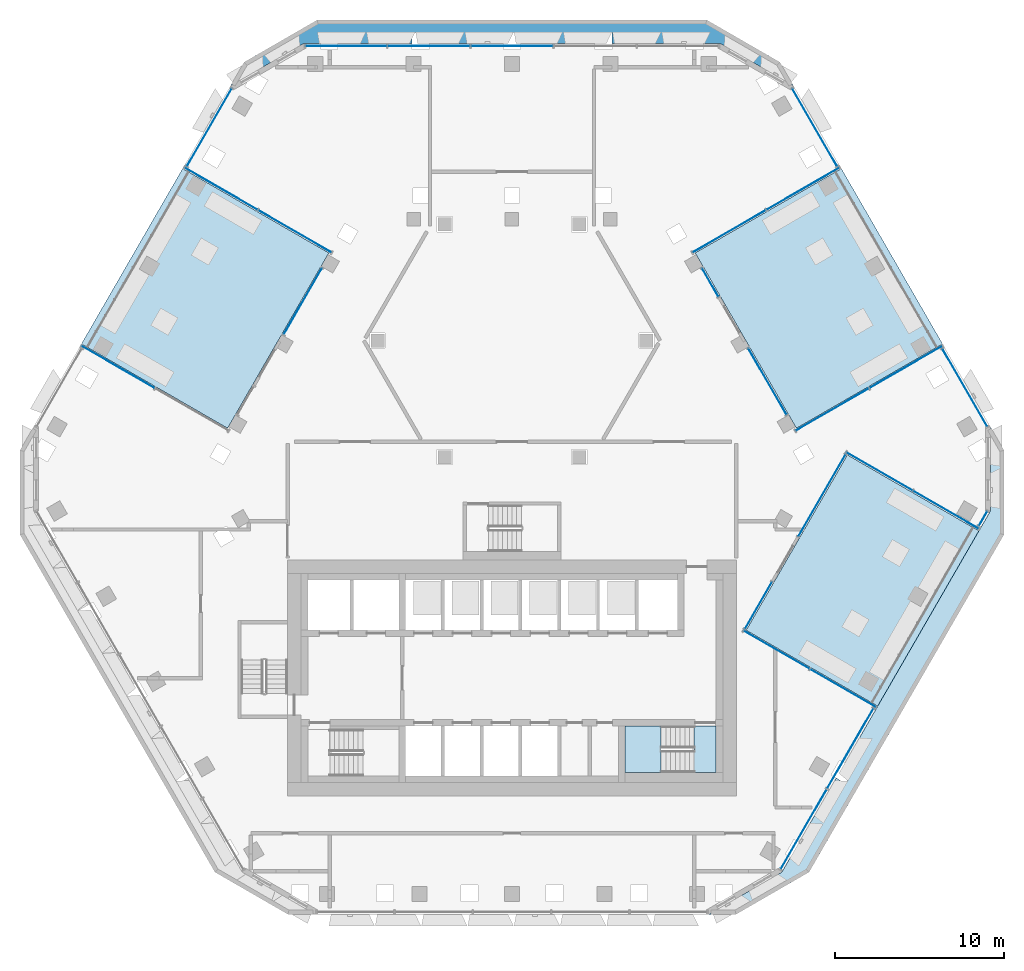
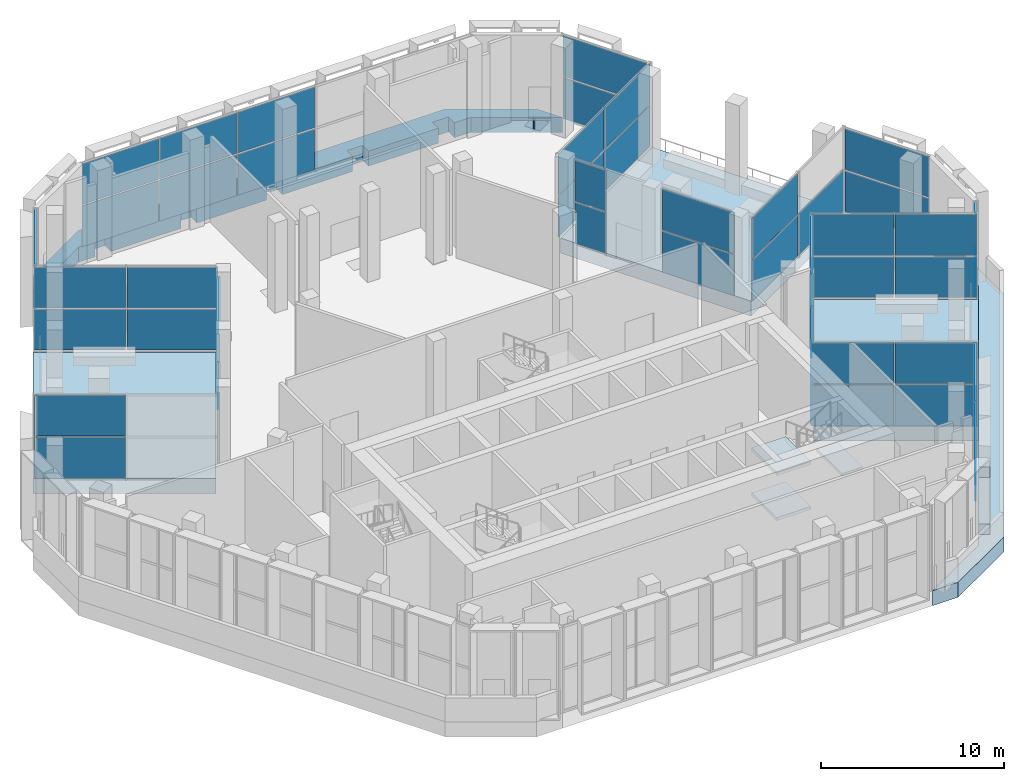
# One storey, part 8 of 27: 48 plates, 8 slabs, 18 elements without a shape of their own.
"""IFC4 building model written with IfcOpenShell, lengths in metres."""

import ifcopenshell
import ifcopenshell.guid

model = None  # the IFC model being written
_history = None  # IfcOwnerHistory: only IFC2X3 demands one
_inside = {}  # id of a spatial element -> (the spatial element, [elements in it])
_under = {}  # id of a project, library or spatial element -> (it, [spatial elements below it])
_declared = {}  # id of a project -> (the project, [libraries it declares])
_typed = {}  # id of a type object -> (the type object, [elements of that type])
_made_of = {}  # id of a material, layer set ... -> (it, [elements and type objects made of it])


def new_model(schema):
    """Start an empty IFC model of exactly this schema.

    Asked for "IFC4X3", IfcOpenShell would pick the latest addendum, in which some entities
    have other attributes; the version numbers below select the first issue.
    IFC2X3 requires an IfcOwnerHistory on every rooted entity: one is made here for all.
    """
    global model, _history
    if schema == "IFC4X3":
        model = ifcopenshell.file(schema_version=(4, 3, 0, 0))
    else:
        model = ifcopenshell.file(schema=schema)
    _inside.clear()
    _under.clear()
    _declared.clear()
    _typed.clear()
    _made_of.clear()
    _history = None
    if model.schema == "IFC2X3":
        org = make("IfcOrganization", Name="unknown")
        user = make(
            "IfcPersonAndOrganization",
            ThePerson=make("IfcPerson", FamilyName="unknown"),
            TheOrganization=org,
        )
        app = make(
            "IfcApplication",
            ApplicationDeveloper=org,
            Version="unknown",
            ApplicationFullName="unknown",
            ApplicationIdentifier="unknown",
        )
        _history = make(
            "IfcOwnerHistory",
            OwningUser=user,
            OwningApplication=app,
            ChangeAction="ADDED",
            CreationDate=0,
        )
    return model


def make(cls, **values):
    """One entity of the class cls with the attributes given. An attribute that is None is left unset."""
    return model.create_entity(
        cls, **{name: value for name, value in values.items() if value is not None}
    )


def rooted(cls, **values):
    """An entity with a GlobalId (a new one), such as an element, a storey or a relation."""
    return make(cls, GlobalId=ifcopenshell.guid.new(), OwnerHistory=_history, **values)


def si_unit(unit_type, name, prefix=None):
    """IfcSIUnit, for example si_unit("LENGTHUNIT", "METRE", prefix="MILLI")."""
    return make("IfcSIUnit", UnitType=unit_type, Prefix=prefix, Name=name)


def assignment(units):
    """IfcUnitAssignment: the units of a project."""
    return None if units is None else make("IfcUnitAssignment", Units=units)


def point(xyz):
    """IfcCartesianPoint."""
    return None if xyz is None else make("IfcCartesianPoint", Coordinates=xyz)


def direction(xyz):
    """IfcDirection."""
    return None if xyz is None else make("IfcDirection", DirectionRatios=xyz)


def frame(location, z_axis=None, x_axis=None):
    """IfcAxis2Placement3D, a coordinate frame: its origin and axes. An axis left out is left unset."""
    return make(
        "IfcAxis2Placement3D",
        Location=point(location),
        Axis=direction(z_axis),
        RefDirection=direction(x_axis),
    )


def frame_2d(location, x_axis=None):
    """IfcAxis2Placement2D, a coordinate frame in the plane: its origin and x axis."""
    return make(
        "IfcAxis2Placement2D", Location=point(location), RefDirection=direction(x_axis)
    )


def origin():
    """The frame at (0, 0, 0) with its axes left unset."""
    return frame((0.0, 0.0, 0.0))


def origin_2d():
    """The frame at (0, 0) in the plane with its x axis left unset."""
    return frame_2d((0.0, 0.0))


def place(relative_to, where):
    """IfcLocalPlacement: puts the frame where relative to a parent placement (None: the world)."""
    return make(
        "IfcLocalPlacement", PlacementRelTo=relative_to, RelativePlacement=where
    )


def context(
    kind, dimensions, precision=None, world=None, true_north=None, identifier=None
):
    """IfcGeometricRepresentationContext, for example the 3D "Model" context."""
    return make(
        "IfcGeometricRepresentationContext",
        ContextIdentifier=identifier,
        ContextType=kind,
        CoordinateSpaceDimension=dimensions,
        Precision=precision,
        WorldCoordinateSystem=world,
        TrueNorth=true_north,
    )


def subcontext(parent, identifier, kind, view, scale=None):
    """IfcGeometricRepresentationSubContext, for example "Body" below "Model"."""
    return make(
        "IfcGeometricRepresentationSubContext",
        ContextIdentifier=identifier,
        ContextType=kind,
        ParentContext=parent,
        TargetScale=scale,
        TargetView=view,
    )


def project(units=None, contexts=None):
    """IfcProject with its units and contexts."""
    return rooted(
        "IfcProject",
        Name="project",
        RepresentationContexts=contexts,
        UnitsInContext=assignment(units),
    )


def spatial(cls, under=None, at=None, **own):
    """A site, building, storey or space (cls), placed at a placement, below another one or the project."""
    s = rooted(cls, ObjectPlacement=at, **own)
    if under is not None:
        _under.setdefault(under.id(), (under, []))[1].append(s)
    return s


def polyline(points):
    """IfcPolyline through the points."""
    return make("IfcPolyline", Points=[point(p) for p in points])


def profile(cls, at=None, kind="AREA", **sizes):
    """A parametric profile (cls). Its sizes go by their IFC names, for example OverallWidth=200.0."""
    return make(cls, ProfileType=kind, Position=at, **sizes)


def rectangle(**sizes):
    """IfcRectangleProfileDef."""
    return profile("IfcRectangleProfileDef", **sizes)


def outline(outer, holes=None, kind="AREA"):
    """IfcArbitraryClosedProfileDef: a profile drawn as a closed curve; with holes, ...WithVoids."""
    if holes is None:
        return make("IfcArbitraryClosedProfileDef", ProfileType=kind, OuterCurve=outer)
    return make(
        "IfcArbitraryProfileDefWithVoids",
        ProfileType=kind,
        OuterCurve=outer,
        InnerCurves=holes,
    )


def extrude(swept, where, along, depth):
    """IfcExtrudedAreaSolid: the profile swept, set in the frame where, extruded along a direction by depth."""
    return make(
        "IfcExtrudedAreaSolid",
        SweptArea=swept,
        Position=where,
        ExtrudedDirection=direction(along),
        Depth=depth,
    )


def shape(context_of_items, identifier, shape_type, items):
    """IfcShapeRepresentation: the items that make up one representation, for example the "Body"."""
    return make(
        "IfcShapeRepresentation",
        ContextOfItems=context_of_items,
        RepresentationIdentifier=identifier,
        RepresentationType=shape_type,
        Items=items,
    )


def material(Name=None, Category=None):
    """IfcMaterial."""
    return make("IfcMaterial", Name=Name, Category=Category)


def layer(
    of_material, thickness, ventilated=None, Name=None, Category=None, Priority=None
):
    """IfcMaterialLayer: one layer of a wall or slab, of a material (None: an air gap)."""
    return make(
        "IfcMaterialLayer",
        Material=of_material,
        LayerThickness=thickness,
        IsVentilated=ventilated,
        Name=Name,
        Category=Category,
        Priority=Priority,
    )


def layer_set(layers, Name=None):
    """IfcMaterialLayerSet."""
    return make("IfcMaterialLayerSet", MaterialLayers=layers, LayerSetName=Name)


def made_of(thing, what):
    """Note that an element or type object is made of a material, layer set ...; save() writes the relation."""
    if what is not None:
        _made_of.setdefault(what.id(), (what, []))[1].append(thing)
    return thing


def type_object(cls, material=None, **own):
    """A type object (cls), such as IfcWallType, which elements share."""
    return made_of(rooted(cls, **own), material)


def element(
    cls,
    number,
    at=None,
    inside=None,
    cuts=None,
    type_object=None,
    material=None,
    context=None,
    identifier="Body",
    shape_type=None,
    held_by="IfcProductDefinitionShape",
    body=None,
    shapes=None,
    **own,
):
    """One element of the class cls, such as IfcWall. Its Tag is "e" and its number.

    at: its placement. inside: the storey or other place that contains it. cuts: it is an
    opening in that element (IfcRelVoidsElement). A single representation is given by context,
    identifier, shape_type and body (its items); several are given by shapes. held_by: the class
    of the entity that holds the representations. save() writes the other relations.
    """
    e = rooted(cls, Tag="e%d" % number, ObjectPlacement=at, **own)
    if body is not None:
        shapes = [shape(context, identifier, shape_type, body)]
    if shapes is not None:
        e.Representation = make(held_by, Representations=shapes)
    if inside is not None:
        _inside.setdefault(inside.id(), (inside, []))[1].append(e)
    if cuts is not None:
        rooted(
            "IfcRelVoidsElement", RelatingBuildingElement=cuts, RelatedOpeningElement=e
        )
    if type_object is not None:
        _typed.setdefault(type_object.id(), (type_object, []))[1].append(e)
    return made_of(e, material)


def aggregate(whole, parts):
    """IfcRelAggregates: a whole, such as a stair, and the parts it consists of."""
    return rooted("IfcRelAggregates", RelatingObject=whole, RelatedObjects=parts)


def save(model, path):
    """Write the relations noted so far, then the file.

    IfcRelAggregates (storeys below a building ...), IfcRelContainedInSpatialStructure (elements
    in a storey), IfcRelDefinesByType, IfcRelAssociatesMaterial and IfcRelDeclares: one each for
    every whole, place, type object, material and project.
    """
    for whole, parts in _under.values():
        aggregate(whole, parts)
    for where, things in _inside.values():
        rooted(
            "IfcRelContainedInSpatialStructure",
            RelatedElements=things,
            RelatingStructure=where,
        )
    for kind, things in _typed.values():
        rooted("IfcRelDefinesByType", RelatedObjects=things, RelatingType=kind)
    for what, things in _made_of.values():
        rooted("IfcRelAssociatesMaterial", RelatedObjects=things, RelatingMaterial=what)
    for by, libraries in _declared.values():
        rooted("IfcRelDeclares", RelatingContext=by, RelatedDefinitions=libraries)
    model.write(path)


model = new_model("IFC4")

# Units and contexts
model_context = context("Model", 3, precision=1e-05, world=origin(), true_north=direction((0.0, 1.0)))
body_context = subcontext(model_context, "Body", "Model", "MODEL_VIEW")
ifc_project = project(units=[si_unit("LENGTHUNIT", "METRE"), si_unit("AREAUNIT", "SQUARE_METRE"), si_unit("VOLUMEUNIT", "CUBIC_METRE"), si_unit("PLANEANGLEUNIT", "RADIAN"), si_unit("MASSUNIT", "GRAM", prefix="KILO")], contexts=[model_context])

# Site, building, storey
site_placement = place(None, origin())
site = spatial("IfcSite", under=ifc_project, at=site_placement, CompositionType="ELEMENT")
building_placement = place(site_placement, origin())
building = spatial("IfcBuilding", under=site, at=building_placement, Name="Beryl Residences", CompositionType="ELEMENT")
storey_placement = place(building_placement, frame((0.0, 0.0, 111.60009765625)))
storey = spatial("IfcBuildingStorey", under=building, at=storey_placement, Name="L34", CompositionType="ELEMENT", Elevation=111.60009765625)

# Curtain wall, plates
ifc_material_1 = material(Name="Aluminium and clear glass", Category="aluminium")
curtain_wall_type = type_object("IfcCurtainWallType", Name="CW3 sky garden glazing glazed wall", PredefinedType="NOTDEFINED", material=ifc_material_1)
curtain_wall_1_placement = place(storey_placement, origin())
curtain_wall_1 = element("IfcCurtainWall", 1, at=curtain_wall_1_placement, inside=storey, type_object=curtain_wall_type, Name="CW3 L34 N", PredefinedType="NOTDEFINED")
ifc_material_2 = material(Name="Clear laminated glass", Category="glass")
ifc_layer_1 = layer(ifc_material_2, 0.028076171875)
ifc_layer_set_1 = layer_set([ifc_layer_1], Name="CW3-P glazing panel 28 mm")
plate_type = type_object("IfcPlateType", Name="CW3-P glazing panel 28 mm", PredefinedType="CURTAIN_PANEL", material=ifc_layer_set_1)
plate_1_placement = place(storey_placement, frame((0.0, 25.449951171875, 0.079833984375), z_axis=(0.0, 0.0, 1.0), x_axis=(-1.0, 0.0, 0.0)))
plate_1 = element("IfcPlate", 2, at=plate_1_placement, type_object=plate_type, Name="CW3 panel 3.1", PredefinedType="CURTAIN_PANEL", context=body_context, shape_type="SweptSolid", body=[
    extrude(rectangle(XDim=4.845947265625, YDim=0.028076171875, at=origin_2d()), origin(), (0.0, 0.0, 1.0), 2.72998046875),
])
plate_2_placement = place(storey_placement, frame((0.0, 25.449951171875, 2.889892578125), z_axis=(0.0, 0.0, 1.0), x_axis=(-1.0, 0.0, 0.0)))
plate_2 = element("IfcPlate", 3, at=plate_2_placement, type_object=plate_type, Name="CW3 panel 3.2", PredefinedType="CURTAIN_PANEL", context=body_context, shape_type="SweptSolid", body=[
    extrude(rectangle(XDim=4.845947265625, YDim=0.028076171875, at=origin_2d()), origin(), (0.0, 0.0, 1.0), 2.72998046875),
])
plate_3_placement = place(storey_placement, frame((-4.926025390625, 25.449951171875, 0.079833984375), z_axis=(0.0, 0.0, 1.0), x_axis=(-1.0, 0.0, 0.0)))
plate_3 = element("IfcPlate", 4, at=plate_3_placement, type_object=plate_type, Name="CW3 panel 4.1", PredefinedType="CURTAIN_PANEL", context=body_context, shape_type="SweptSolid", body=[
    extrude(rectangle(XDim=4.845947265625, YDim=0.028076171875, at=origin_2d()), origin(), (0.0, 0.0, 1.0), 2.72998046875),
])
plate_4_placement = place(storey_placement, frame((-4.926025390625, 25.449951171875, 2.889892578125), z_axis=(0.0, 0.0, 1.0), x_axis=(-1.0, 0.0, 0.0)))
plate_4 = element("IfcPlate", 5, at=plate_4_placement, type_object=plate_type, Name="CW3 panel 4.2", PredefinedType="CURTAIN_PANEL", context=body_context, shape_type="SweptSolid", body=[
    extrude(rectangle(XDim=4.845947265625, YDim=0.028076171875, at=origin_2d()), origin(), (0.0, 0.0, 1.0), 2.72998046875),
])
plate_5_placement = place(storey_placement, frame((-9.83203125, 25.449951171875, 0.079833984375), z_axis=(0.0, 0.0, 1.0), x_axis=(-1.0, 0.0, 0.0)))
plate_5 = element("IfcPlate", 6, at=plate_5_placement, type_object=plate_type, Name="CW3 panel 5.1", PredefinedType="CURTAIN_PANEL", context=body_context, shape_type="SweptSolid", body=[
    extrude(rectangle(XDim=4.805908203125, YDim=0.028076171875, at=origin_2d()), origin(), (0.0, 0.0, 1.0), 2.72998046875),
])
plate_6_placement = place(storey_placement, frame((-9.83203125, 25.449951171875, 2.889892578125), z_axis=(0.0, 0.0, 1.0), x_axis=(-1.0, 0.0, 0.0)))
plate_6 = element("IfcPlate", 7, at=plate_6_placement, type_object=plate_type, Name="CW3 panel 5.2", PredefinedType="CURTAIN_PANEL", context=body_context, shape_type="SweptSolid", body=[
    extrude(rectangle(XDim=4.805908203125, YDim=0.028076171875, at=origin_2d()), origin(), (0.0, 0.0, 1.0), 2.72998046875),
])
aggregate(curtain_wall_1, [plate_1, plate_2, plate_3, plate_4, plate_5, plate_6])

curtain_wall_2_placement = place(storey_placement, origin())
curtain_wall_2 = element("IfcCurtainWall", 8, at=curtain_wall_2_placement, inside=storey, type_object=curtain_wall_type, Name="CW3 L34 NW", PredefinedType="NOTDEFINED")
plate_7_placement = place(storey_placement, frame((-17.93798828125, 20.631591796875, 0.079833984375), z_axis=(0.0, 0.0, 1.0), x_axis=(-0.500087950699, -0.86597461947, 0.0)))
plate_7 = element("IfcPlate", 9, at=plate_7_placement, type_object=plate_type, Name="CW3 panel 1.1", PredefinedType="CURTAIN_PANEL", context=body_context, shape_type="SweptSolid", body=[
    extrude(rectangle(XDim=5.287109375, YDim=0.028076171875, at=origin_2d()), origin(), (0.0, 0.0, 1.0), 2.72998046875),
])
plate_8_placement = place(storey_placement, frame((-17.93798828125, 20.631591796875, 2.889892578125), z_axis=(0.0, 0.0, 1.0), x_axis=(-0.500087950699, -0.86597461947, 0.0)))
plate_8 = element("IfcPlate", 10, at=plate_8_placement, type_object=plate_type, Name="CW3 panel 1.2", PredefinedType="CURTAIN_PANEL", context=body_context, shape_type="SweptSolid", body=[
    extrude(rectangle(XDim=5.287109375, YDim=0.028076171875, at=origin_2d()), origin(), (0.0, 0.0, 1.0), 2.72998046875),
])
aggregate(curtain_wall_2, [plate_7, plate_8])

curtain_wall_3_placement = place(storey_placement, origin())
curtain_wall_3 = element("IfcCurtainWall", 11, at=curtain_wall_3_placement, inside=storey, type_object=curtain_wall_type, Name="CW3 L34 SE", PredefinedType="NOTDEFINED")
plate_9_placement = place(storey_placement, frame((17.285400390625, -20.9609375, 2.889892578125), z_axis=(0.0, 0.0, 1.0), x_axis=(0.500020329666, 0.866013666128, 0.0)))
plate_9 = element("IfcPlate", 12, at=plate_9_placement, type_object=plate_type, Name="CW3 panel 1.2", PredefinedType="CURTAIN_PANEL", context=body_context, shape_type="SweptSolid", body=[
    extrude(rectangle(XDim=5.44970703125, YDim=0.028076171875, at=origin_2d()), origin(), (0.0, 0.0, 1.0), 2.72998046875),
])
plate_10_placement = place(storey_placement, frame((20.050537109375, -16.172119140625, 0.079833984375), z_axis=(0.0, 0.0, 1.0), x_axis=(0.500020329666, 0.866013666128, 0.0)))
plate_10 = element("IfcPlate", 13, at=plate_10_placement, type_object=plate_type, Name="CW3 panel 2.1", PredefinedType="CURTAIN_PANEL", context=body_context, shape_type="SweptSolid", body=[
    extrude(rectangle(XDim=5.44970703125, YDim=0.028076171875, at=origin_2d()), origin(), (0.0, 0.0, 1.0), 2.72998046875),
])
plate_11_placement = place(storey_placement, frame((20.050537109375, -16.172119140625, 2.889892578125), z_axis=(0.0, 0.0, 1.0), x_axis=(0.500020329666, 0.866013666128, 0.0)))
plate_11 = element("IfcPlate", 14, at=plate_11_placement, type_object=plate_type, Name="CW3 panel 2.2", PredefinedType="CURTAIN_PANEL", context=body_context, shape_type="SweptSolid", body=[
    extrude(rectangle(XDim=5.44970703125, YDim=0.028076171875, at=origin_2d()), origin(), (0.0, 0.0, 1.0), 2.72998046875),
])
aggregate(curtain_wall_3, [plate_9, plate_10, plate_11])

curtain_wall_4_placement = place(storey_placement, origin())
curtain_wall_4 = element("IfcCurtainWall", 15, at=curtain_wall_4_placement, inside=storey, type_object=curtain_wall_type, Name="CW3 L34 SE", PredefinedType="NOTDEFINED")
plate_12_placement = place(storey_placement, frame((27.9130859375, -2.553466796875, 0.079833984375), z_axis=(0.0, 0.0, 1.0), x_axis=(0.500102178131, 0.865966403176, 0.0)))
plate_12 = element("IfcPlate", 16, at=plate_12_placement, type_object=plate_type, Name="CW3 panel 1.1", PredefinedType="CURTAIN_PANEL", context=body_context, shape_type="SweptSolid", body=[
    extrude(rectangle(XDim=0.979736328125, YDim=0.028076171875, at=origin_2d()), origin(), (0.0, 0.0, 1.0), 2.72998046875),
])
plate_13_placement = place(storey_placement, frame((27.9130859375, -2.553466796875, 2.889892578125), z_axis=(0.0, 0.0, 1.0), x_axis=(0.500102178131, 0.865966403176, 0.0)))
plate_13 = element("IfcPlate", 17, at=plate_13_placement, type_object=plate_type, Name="CW3 panel 1.2", PredefinedType="CURTAIN_PANEL", context=body_context, shape_type="SweptSolid", body=[
    extrude(rectangle(XDim=0.979736328125, YDim=0.028076171875, at=origin_2d()), origin(), (0.0, 0.0, 1.0), 2.72998046875),
])
aggregate(curtain_wall_4, [plate_12, plate_13])

curtain_wall_5_placement = place(storey_placement, origin())
curtain_wall_5 = element("IfcCurtainWall", 18, at=curtain_wall_5_placement, inside=storey, type_object=curtain_wall_type, Name="CW3 L34 NE", PredefinedType="NOTDEFINED")
plate_14_placement = place(storey_placement, frame((26.83642578125, 5.218505859375, 0.079833984375), z_axis=(0.0, 0.0, 1.0), x_axis=(-0.499950258479, 0.866054120161, 0.0)))
plate_14 = element("IfcPlate", 19, at=plate_14_placement, type_object=plate_type, Name="CW3 panel 1.1", PredefinedType="CURTAIN_PANEL", context=body_context, shape_type="SweptSolid", body=[
    extrude(rectangle(XDim=5.28662109375, YDim=0.028076171875, at=origin_2d()), origin(), (0.0, 0.0, 1.0), 2.72998046875),
])
plate_15_placement = place(storey_placement, frame((26.83642578125, 5.218505859375, 2.889892578125), z_axis=(0.0, 0.0, 1.0), x_axis=(-0.499950258479, 0.866054120161, 0.0)))
plate_15 = element("IfcPlate", 20, at=plate_15_placement, type_object=plate_type, Name="CW3 panel 1.2", PredefinedType="CURTAIN_PANEL", context=body_context, shape_type="SweptSolid", body=[
    extrude(rectangle(XDim=5.28662109375, YDim=0.028076171875, at=origin_2d()), origin(), (0.0, 0.0, 1.0), 2.72998046875),
])
aggregate(curtain_wall_5, [plate_14, plate_15])

curtain_wall_6_placement = place(storey_placement, origin())
curtain_wall_6 = element("IfcCurtainWall", 21, at=curtain_wall_6_placement, inside=storey, type_object=curtain_wall_type, Name="CW3 L34 NE", PredefinedType="NOTDEFINED")
plate_16_placement = place(storey_placement, frame((17.93798828125, 20.631591796875, 0.079833984375), z_axis=(0.0, 0.0, 1.0), x_axis=(-0.500087950699, 0.86597461947, 0.0)))
plate_16 = element("IfcPlate", 22, at=plate_16_placement, type_object=plate_type, Name="CW3 panel 1.1", PredefinedType="CURTAIN_PANEL", context=body_context, shape_type="SweptSolid", body=[
    extrude(rectangle(XDim=5.287109375, YDim=0.028076171875, at=origin_2d()), origin(), (0.0, 0.0, 1.0), 2.72998046875),
])
plate_17_placement = place(storey_placement, frame((17.93798828125, 20.631591796875, 2.889892578125), z_axis=(0.0, 0.0, 1.0), x_axis=(-0.500087950699, 0.86597461947, 0.0)))
plate_17 = element("IfcPlate", 23, at=plate_17_placement, type_object=plate_type, Name="CW3 panel 1.2", PredefinedType="CURTAIN_PANEL", context=body_context, shape_type="SweptSolid", body=[
    extrude(rectangle(XDim=5.287109375, YDim=0.028076171875, at=origin_2d()), origin(), (0.0, 0.0, 1.0), 2.72998046875),
])
aggregate(curtain_wall_6, [plate_16, plate_17])

curtain_wall_7_placement = place(storey_placement, origin())
curtain_wall_7 = element("IfcCurtainWall", 24, at=curtain_wall_7_placement, inside=storey, type_object=curtain_wall_type, Name="CW3 L34 NW garden back", PredefinedType="NOTDEFINED")
plate_18_placement = place(storey_placement, frame((-12.39892578125, 10.324951171875, 0.079833984375), z_axis=(0.0, 0.0, 1.0), x_axis=(-0.49982123965, -0.866128586524, 0.0)))
plate_18 = element("IfcPlate", 25, at=plate_18_placement, type_object=plate_type, Name="CW3 panel 1.1", PredefinedType="CURTAIN_PANEL", context=body_context, shape_type="SweptSolid", body=[
    extrude(rectangle(XDim=4.513671875, YDim=0.028076171875, at=origin_2d()), origin(), (0.0, 0.0, 1.0), 2.72998046875),
])
plate_19_placement = place(storey_placement, frame((-12.39892578125, 10.324951171875, 2.889892578125), z_axis=(0.0, 0.0, 1.0), x_axis=(-0.49982123965, -0.866128586524, 0.0)))
plate_19 = element("IfcPlate", 26, at=plate_19_placement, type_object=plate_type, Name="CW3 panel 1.2", PredefinedType="CURTAIN_PANEL", context=body_context, shape_type="SweptSolid", body=[
    extrude(rectangle(XDim=4.513671875, YDim=0.028076171875, at=origin_2d()), origin(), (0.0, 0.0, 1.0), 2.72998046875),
])
aggregate(curtain_wall_7, [plate_18, plate_19])

curtain_wall_8_placement = place(storey_placement, origin())
curtain_wall_8 = element("IfcCurtainWall", 27, at=curtain_wall_8_placement, inside=storey, type_object=curtain_wall_type, Name="CW3 L34 NW garden left", PredefinedType="NOTDEFINED")
plate_20_placement = place(storey_placement, frame((-17.24658203125, 17.0009765625, 0.079833984375), z_axis=(0.0, 0.0, 1.0), x_axis=(0.866008831285, -0.500028703312, 0.0)))
plate_20 = element("IfcPlate", 28, at=plate_20_placement, type_object=plate_type, Name="CW3 panel 1.1", PredefinedType="CURTAIN_PANEL", context=body_context, shape_type="SweptSolid", body=[
    extrude(rectangle(XDim=4.9677734375, YDim=0.028076171875, at=origin_2d()), origin(), (0.0, 0.0, 1.0), 2.72998046875),
])
plate_21_placement = place(storey_placement, frame((-17.24658203125, 17.0009765625, 2.889892578125), z_axis=(0.0, 0.0, 1.0), x_axis=(0.866008831285, -0.500028703312, 0.0)))
plate_21 = element("IfcPlate", 29, at=plate_21_placement, type_object=plate_type, Name="CW3 panel 1.2", PredefinedType="CURTAIN_PANEL", context=body_context, shape_type="SweptSolid", body=[
    extrude(rectangle(XDim=4.9677734375, YDim=0.028076171875, at=origin_2d()), origin(), (0.0, 0.0, 1.0), 2.72998046875),
])
plate_22_placement = place(storey_placement, frame((-12.875244140625, 14.47705078125, 0.079833984375), z_axis=(0.0, 0.0, 1.0), x_axis=(0.866008831285, -0.500028703312, 0.0)))
plate_22 = element("IfcPlate", 30, at=plate_22_placement, type_object=plate_type, Name="CW3 panel 2.1", PredefinedType="CURTAIN_PANEL", context=body_context, shape_type="SweptSolid", body=[
    extrude(rectangle(XDim=4.9677734375, YDim=0.028076171875, at=origin_2d()), origin(), (0.0, 0.0, 1.0), 2.72998046875),
])
plate_23_placement = place(storey_placement, frame((-12.875244140625, 14.47705078125, 2.889892578125), z_axis=(0.0, 0.0, 1.0), x_axis=(0.866008831285, -0.500028703312, 0.0)))
plate_23 = element("IfcPlate", 31, at=plate_23_placement, type_object=plate_type, Name="CW3 panel 2.2", PredefinedType="CURTAIN_PANEL", context=body_context, shape_type="SweptSolid", body=[
    extrude(rectangle(XDim=4.9677734375, YDim=0.028076171875, at=origin_2d()), origin(), (0.0, 0.0, 1.0), 2.72998046875),
])
aggregate(curtain_wall_8, [plate_20, plate_21, plate_22, plate_23])

curtain_wall_9_placement = place(storey_placement, origin())
curtain_wall_9 = element("IfcCurtainWall", 32, at=curtain_wall_9_placement, inside=storey, type_object=curtain_wall_type, Name="CW3 L34 NW garden right", PredefinedType="NOTDEFINED")
plate_24_placement = place(storey_placement, frame((-23.3466796875, 6.435302734375, 0.079833984375), z_axis=(0.0, 0.0, 1.0), x_axis=(0.866051386658, -0.499954993642, 0.0)))
plate_24 = element("IfcPlate", 33, at=plate_24_placement, type_object=plate_type, Name="CW3 panel 1.1", PredefinedType="CURTAIN_PANEL", context=body_context, shape_type="SweptSolid", body=[
    extrude(rectangle(XDim=4.967529296875, YDim=0.028076171875, at=origin_2d()), origin(), (0.0, 0.0, 1.0), 2.72998046875),
])
plate_25_placement = place(storey_placement, frame((-23.3466796875, 6.435302734375, 2.889892578125), z_axis=(0.0, 0.0, 1.0), x_axis=(0.866051386658, -0.499954993642, 0.0)))
plate_25 = element("IfcPlate", 34, at=plate_25_placement, type_object=plate_type, Name="CW3 panel 1.2", PredefinedType="CURTAIN_PANEL", context=body_context, shape_type="SweptSolid", body=[
    extrude(rectangle(XDim=4.967529296875, YDim=0.028076171875, at=origin_2d()), origin(), (0.0, 0.0, 1.0), 2.72998046875),
])
aggregate(curtain_wall_9, [plate_24, plate_25])

curtain_wall_10_placement = place(storey_placement, origin())
curtain_wall_10 = element("IfcCurtainWall", 35, at=curtain_wall_10_placement, inside=storey, type_object=curtain_wall_type, Name="CW3 L34 NE garden back", PredefinedType="NOTDEFINED")
plate_26_placement = place(storey_placement, frame((15.14111328125, 5.574951171875, 0.079833984375), z_axis=(0.0, 0.0, 1.0), x_axis=(-0.500142160005, 0.865943312108, 0.0)))
plate_26 = element("IfcPlate", 36, at=plate_26_placement, type_object=plate_type, Name="CW3 panel 1.1", PredefinedType="CURTAIN_PANEL", context=body_context, shape_type="SweptSolid", body=[
    extrude(rectangle(XDim=4.5146484375, YDim=0.028076171875, at=origin_2d()), origin(), (0.0, 0.0, 1.0), 2.72998046875),
])
plate_27_placement = place(storey_placement, frame((15.14111328125, 5.574951171875, 2.889892578125), z_axis=(0.0, 0.0, 1.0), x_axis=(-0.500142160005, 0.865943312108, 0.0)))
plate_27 = element("IfcPlate", 37, at=plate_27_placement, type_object=plate_type, Name="CW3 panel 1.2", PredefinedType="CURTAIN_PANEL", context=body_context, shape_type="SweptSolid", body=[
    extrude(rectangle(XDim=4.5146484375, YDim=0.028076171875, at=origin_2d()), origin(), (0.0, 0.0, 1.0), 2.72998046875),
])
aggregate(curtain_wall_10, [plate_26, plate_27])

curtain_wall_11_placement = place(storey_placement, origin())
curtain_wall_11 = element("IfcCurtainWall", 38, at=curtain_wall_11_placement, inside=storey, type_object=curtain_wall_type, Name="CW3 L34 NE garden back", PredefinedType="NOTDEFINED")
plate_28_placement = place(storey_placement, frame((11.75, 11.448486328125, 0.079833984375), z_axis=(0.0, 0.0, 1.0), x_axis=(-0.500069298337, 0.865985390674, 0.0)))
plate_28 = element("IfcPlate", 39, at=plate_28_placement, type_object=plate_type, Name="CW3 panel 1.1", PredefinedType="CURTAIN_PANEL", context=body_context, shape_type="SweptSolid", body=[
    extrude(rectangle(XDim=1.919677734375, YDim=0.028076171875, at=origin_2d()), origin(), (0.0, 0.0, 1.0), 2.72998046875),
])
plate_29_placement = place(storey_placement, frame((11.75, 11.448486328125, 2.889892578125), z_axis=(0.0, 0.0, 1.0), x_axis=(-0.500069298337, 0.865985390674, 0.0)))
plate_29 = element("IfcPlate", 40, at=plate_29_placement, type_object=plate_type, Name="CW3 panel 1.2", PredefinedType="CURTAIN_PANEL", context=body_context, shape_type="SweptSolid", body=[
    extrude(rectangle(XDim=1.919677734375, YDim=0.028076171875, at=origin_2d()), origin(), (0.0, 0.0, 1.0), 2.72998046875),
])
aggregate(curtain_wall_11, [plate_28, plate_29])

curtain_wall_12_placement = place(storey_placement, origin())
curtain_wall_12 = element("IfcCurtainWall", 41, at=curtain_wall_12_placement, inside=storey, type_object=curtain_wall_type, Name="CW3 L34 NE garden left", PredefinedType="NOTDEFINED")
plate_30_placement = place(storey_placement, frame((23.3466796875, 6.435302734375, 0.079833984375), z_axis=(0.0, 0.0, 1.0), x_axis=(-0.866051386658, -0.499954993642, 0.0)))
plate_30 = element("IfcPlate", 42, at=plate_30_placement, type_object=plate_type, Name="CW3 panel 1.1", PredefinedType="CURTAIN_PANEL", context=body_context, shape_type="SweptSolid", body=[
    extrude(rectangle(XDim=4.967529296875, YDim=0.028076171875, at=origin_2d()), origin(), (0.0, 0.0, 1.0), 2.72998046875),
])
plate_31_placement = place(storey_placement, frame((18.975341796875, 3.911865234375, 0.079833984375), z_axis=(0.0, 0.0, 1.0), x_axis=(-0.866051386658, -0.499954993642, 0.0)))
plate_31 = element("IfcPlate", 43, at=plate_31_placement, type_object=plate_type, Name="CW3 panel 2.1", PredefinedType="CURTAIN_PANEL", context=body_context, shape_type="SweptSolid", body=[
    extrude(rectangle(XDim=4.967529296875, YDim=0.028076171875, at=origin_2d()), origin(), (0.0, 0.0, 1.0), 2.72998046875),
])
plate_32_placement = place(storey_placement, frame((18.975341796875, 3.911865234375, 2.889892578125), z_axis=(0.0, 0.0, 1.0), x_axis=(-0.866051386658, -0.499954993642, 0.0)))
plate_32 = element("IfcPlate", 44, at=plate_32_placement, type_object=plate_type, Name="CW3 panel 2.2", PredefinedType="CURTAIN_PANEL", context=body_context, shape_type="SweptSolid", body=[
    extrude(rectangle(XDim=4.967529296875, YDim=0.028076171875, at=origin_2d()), origin(), (0.0, 0.0, 1.0), 2.72998046875),
])
aggregate(curtain_wall_12, [plate_30, plate_31, plate_32])

curtain_wall_13_placement = place(storey_placement, origin())
curtain_wall_13 = element("IfcCurtainWall", 45, at=curtain_wall_13_placement, inside=storey, type_object=curtain_wall_type, Name="CW3 L34 NE garden right", PredefinedType="NOTDEFINED")
plate_33_placement = place(storey_placement, frame((17.24658203125, 17.0009765625, 0.079833984375), z_axis=(0.0, 0.0, 1.0), x_axis=(-0.866008831285, -0.500028703312, 0.0)))
plate_33 = element("IfcPlate", 46, at=plate_33_placement, type_object=plate_type, Name="CW3 panel 1.1", PredefinedType="CURTAIN_PANEL", context=body_context, shape_type="SweptSolid", body=[
    extrude(rectangle(XDim=4.9677734375, YDim=0.028076171875, at=origin_2d()), origin(), (0.0, 0.0, 1.0), 2.72998046875),
])
plate_34_placement = place(storey_placement, frame((17.24658203125, 17.0009765625, 2.889892578125), z_axis=(0.0, 0.0, 1.0), x_axis=(-0.866008831285, -0.500028703312, 0.0)))
plate_34 = element("IfcPlate", 47, at=plate_34_placement, type_object=plate_type, Name="CW3 panel 1.2", PredefinedType="CURTAIN_PANEL", context=body_context, shape_type="SweptSolid", body=[
    extrude(rectangle(XDim=4.9677734375, YDim=0.028076171875, at=origin_2d()), origin(), (0.0, 0.0, 1.0), 2.72998046875),
])
plate_35_placement = place(storey_placement, frame((12.875244140625, 14.47705078125, 0.079833984375), z_axis=(0.0, 0.0, 1.0), x_axis=(-0.866008831285, -0.500028703312, 0.0)))
plate_35 = element("IfcPlate", 48, at=plate_35_placement, type_object=plate_type, Name="CW3 panel 2.1", PredefinedType="CURTAIN_PANEL", context=body_context, shape_type="SweptSolid", body=[
    extrude(rectangle(XDim=4.9677734375, YDim=0.028076171875, at=origin_2d()), origin(), (0.0, 0.0, 1.0), 2.72998046875),
])
plate_36_placement = place(storey_placement, frame((12.875244140625, 14.47705078125, 2.889892578125), z_axis=(0.0, 0.0, 1.0), x_axis=(-0.866008831285, -0.500028703312, 0.0)))
plate_36 = element("IfcPlate", 49, at=plate_36_placement, type_object=plate_type, Name="CW3 panel 2.2", PredefinedType="CURTAIN_PANEL", context=body_context, shape_type="SweptSolid", body=[
    extrude(rectangle(XDim=4.9677734375, YDim=0.028076171875, at=origin_2d()), origin(), (0.0, 0.0, 1.0), 2.72998046875),
])
aggregate(curtain_wall_13, [plate_33, plate_34, plate_35, plate_36])

curtain_wall_14_placement = place(storey_placement, origin())
curtain_wall_14 = element("IfcCurtainWall", 50, at=curtain_wall_14_placement, inside=storey, type_object=curtain_wall_type, Name="CW3 L34 SE garden back", PredefinedType="NOTDEFINED")
plate_37_placement = place(storey_placement, frame((14.60791015625, -7.697998046875, 0.079833984375), z_axis=(0.0, 0.0, 1.0), x_axis=(0.499826590019, 0.866125498938, 0.0)))
plate_37 = element("IfcPlate", 51, at=plate_37_placement, type_object=plate_type, Name="CW3 panel 1.1", PredefinedType="CURTAIN_PANEL", context=body_context, shape_type="SweptSolid", body=[
    extrude(rectangle(XDim=3.1650390625, YDim=0.028076171875, at=origin_2d()), origin(), (0.0, 0.0, 1.0), 2.72998046875),
])
plate_38_placement = place(storey_placement, frame((14.60791015625, -7.697998046875, 2.889892578125), z_axis=(0.0, 0.0, 1.0), x_axis=(0.499826590019, 0.866125498938, 0.0)))
plate_38 = element("IfcPlate", 52, at=plate_38_placement, type_object=plate_type, Name="CW3 panel 1.2", PredefinedType="CURTAIN_PANEL", context=body_context, shape_type="SweptSolid", body=[
    extrude(rectangle(XDim=3.1650390625, YDim=0.028076171875, at=origin_2d()), origin(), (0.0, 0.0, 1.0), 2.72998046875),
])
aggregate(curtain_wall_14, [plate_37, plate_38])

curtain_wall_15_placement = place(storey_placement, origin())
curtain_wall_15 = element("IfcCurtainWall", 53, at=curtain_wall_15_placement, inside=storey, type_object=curtain_wall_type, Name="CW3 L34 SE garden back", PredefinedType="NOTDEFINED")
plate_39_placement = place(storey_placement, frame((18.37060546875, -1.180908203125, 0.079833984375), z_axis=(0.0, 0.0, 1.0), x_axis=(0.500065152722, 0.865987784575, 0.0)))
plate_39 = element("IfcPlate", 54, at=plate_39_placement, type_object=plate_type, Name="CW3 panel 1.1", PredefinedType="CURTAIN_PANEL", context=body_context, shape_type="SweptSolid", body=[
    extrude(rectangle(XDim=5.565185546875, YDim=0.028076171875, at=origin_2d()), origin(), (0.0, 0.0, 1.0), 2.72998046875),
])
plate_40_placement = place(storey_placement, frame((18.37060546875, -1.180908203125, 2.889892578125), z_axis=(0.0, 0.0, 1.0), x_axis=(0.500065152722, 0.865987784575, 0.0)))
plate_40 = element("IfcPlate", 55, at=plate_40_placement, type_object=plate_type, Name="CW3 panel 1.2", PredefinedType="CURTAIN_PANEL", context=body_context, shape_type="SweptSolid", body=[
    extrude(rectangle(XDim=5.565185546875, YDim=0.028076171875, at=origin_2d()), origin(), (0.0, 0.0, 1.0), 2.72998046875),
])
aggregate(curtain_wall_15, [plate_39, plate_40])

curtain_wall_16_placement = place(storey_placement, origin())
curtain_wall_16 = element("IfcCurtainWall", 56, at=curtain_wall_16_placement, inside=storey, type_object=curtain_wall_type, Name="CW3 L34 SE garden left", PredefinedType="NOTDEFINED")
plate_41_placement = place(storey_placement, frame((19.6162109375, -12.595947265625, 0.079833984375), z_axis=(0.0, 0.0, 1.0), x_axis=(-0.866007717298, 0.500030632642, 0.0)))
plate_41 = element("IfcPlate", 57, at=plate_41_placement, type_object=plate_type, Name="CW3 panel 1.1", PredefinedType="CURTAIN_PANEL", context=body_context, shape_type="SweptSolid", body=[
    extrude(rectangle(XDim=4.4677734375, YDim=0.028076171875, at=origin_2d()), origin(), (0.0, 0.0, 1.0), 2.72998046875),
])
plate_42_placement = place(storey_placement, frame((19.6162109375, -12.595947265625, 2.889892578125), z_axis=(0.0, 0.0, 1.0), x_axis=(-0.866007717298, 0.500030632642, 0.0)))
plate_42 = element("IfcPlate", 58, at=plate_42_placement, type_object=plate_type, Name="CW3 panel 1.2", PredefinedType="CURTAIN_PANEL", context=body_context, shape_type="SweptSolid", body=[
    extrude(rectangle(XDim=4.4677734375, YDim=0.028076171875, at=origin_2d()), origin(), (0.0, 0.0, 1.0), 2.72998046875),
])
plate_43_placement = place(storey_placement, frame((15.677734375, -10.322021484375, 0.079833984375), z_axis=(0.0, 0.0, 1.0), x_axis=(-0.866007717298, 0.500030632642, 0.0)))
plate_43 = element("IfcPlate", 59, at=plate_43_placement, type_object=plate_type, Name="CW3 panel 2.1", PredefinedType="CURTAIN_PANEL", context=body_context, shape_type="SweptSolid", body=[
    extrude(rectangle(XDim=4.4677734375, YDim=0.028076171875, at=origin_2d()), origin(), (0.0, 0.0, 1.0), 2.72998046875),
])
plate_44_placement = place(storey_placement, frame((15.677734375, -10.322021484375, 2.889892578125), z_axis=(0.0, 0.0, 1.0), x_axis=(-0.866007717298, 0.500030632642, 0.0)))
plate_44 = element("IfcPlate", 60, at=plate_44_placement, type_object=plate_type, Name="CW3 panel 2.2", PredefinedType="CURTAIN_PANEL", context=body_context, shape_type="SweptSolid", body=[
    extrude(rectangle(XDim=4.4677734375, YDim=0.028076171875, at=origin_2d()), origin(), (0.0, 0.0, 1.0), 2.72998046875),
])
aggregate(curtain_wall_16, [plate_41, plate_42, plate_43, plate_44])

curtain_wall_17_placement = place(storey_placement, origin())
curtain_wall_17 = element("IfcCurtainWall", 61, at=curtain_wall_17_placement, inside=storey, type_object=curtain_wall_type, Name="CW3 L34 SE garden right", PredefinedType="NOTDEFINED")
plate_45_placement = place(storey_placement, frame((25.716064453125, -2.0302734375, 0.079833984375), z_axis=(0.0, 0.0, 1.0), x_axis=(-0.866054910532, 0.499948889332, 0.0)))
plate_45 = element("IfcPlate", 62, at=plate_45_placement, type_object=plate_type, Name="CW3 panel 1.1", PredefinedType="CURTAIN_PANEL", context=body_context, shape_type="SweptSolid", body=[
    extrude(rectangle(XDim=4.467529296875, YDim=0.028076171875, at=origin_2d()), origin(), (0.0, 0.0, 1.0), 2.72998046875),
])
plate_46_placement = place(storey_placement, frame((25.716064453125, -2.0302734375, 2.889892578125), z_axis=(0.0, 0.0, 1.0), x_axis=(-0.866054910532, 0.499948889332, 0.0)))
plate_46 = element("IfcPlate", 63, at=plate_46_placement, type_object=plate_type, Name="CW3 panel 1.2", PredefinedType="CURTAIN_PANEL", context=body_context, shape_type="SweptSolid", body=[
    extrude(rectangle(XDim=4.467529296875, YDim=0.028076171875, at=origin_2d()), origin(), (0.0, 0.0, 1.0), 2.72998046875),
])
plate_47_placement = place(storey_placement, frame((21.77783203125, 0.2431640625, 0.079833984375), z_axis=(0.0, 0.0, 1.0), x_axis=(-0.866054910532, 0.499948889332, 0.0)))
plate_47 = element("IfcPlate", 64, at=plate_47_placement, type_object=plate_type, Name="CW3 panel 2.1", PredefinedType="CURTAIN_PANEL", context=body_context, shape_type="SweptSolid", body=[
    extrude(rectangle(XDim=4.467529296875, YDim=0.028076171875, at=origin_2d()), origin(), (0.0, 0.0, 1.0), 2.72998046875),
])
plate_48_placement = place(storey_placement, frame((21.77783203125, 0.2431640625, 2.889892578125), z_axis=(0.0, 0.0, 1.0), x_axis=(-0.866054910532, 0.499948889332, 0.0)))
plate_48 = element("IfcPlate", 65, at=plate_48_placement, type_object=plate_type, Name="CW3 panel 2.2", PredefinedType="CURTAIN_PANEL", context=body_context, shape_type="SweptSolid", body=[
    extrude(rectangle(XDim=4.467529296875, YDim=0.028076171875, at=origin_2d()), origin(), (0.0, 0.0, 1.0), 2.72998046875),
])
aggregate(curtain_wall_17, [plate_45, plate_46, plate_47, plate_48])

# Slabs
ifc_material_3 = material(Name="Concrete C60/75", Category="concrete")
ifc_layer_2 = layer(ifc_material_3, 1.0)
ifc_layer_set_2 = layer_set([ifc_layer_2], Name="SL10 garden slab 1000 mm C60/75")
slab_type_1 = type_object("IfcSlabType", Name="SL10 garden slab 1000 mm C60/75", PredefinedType="FLOOR", material=ifc_layer_set_2)
slab_1_placement = place(storey_placement, frame((0.0, 0.0, -1.0)))
element("IfcSlab", 66, at=slab_1_placement, inside=storey, type_object=slab_type_1, Name="garden L34 NW 1", PredefinedType="FLOOR", context=body_context, shape_type="SweptSolid", body=[
    extrude(outline(polyline([(-25.5166015625, 7.8037109375), (-19.5166015625, 18.19580078125), (-10.85693359375, 13.196044921875), (-16.85693359375, 2.803955078125), (-25.5166015625, 7.8037109375)])), origin(), (0.0, 0.0, 1.0), 1.0),
])
slab_2_placement = place(storey_placement, frame((0.0, 0.0, -1.0)))
element("IfcSlab", 67, at=slab_2_placement, inside=storey, type_object=slab_type_1, Name="garden L34 NE 1", PredefinedType="FLOOR", context=body_context, shape_type="SweptSolid", body=[
    extrude(outline(polyline([(19.5166015625, 18.19580078125), (25.5166015625, 7.8037109375), (16.85693359375, 2.803955078125), (10.85693359375, 13.196044921875), (19.5166015625, 18.19580078125)])), origin(), (0.0, 0.0, 1.0), 1.0),
])
slab_3_placement = place(storey_placement, frame((0.0, 0.0, -1.0)))
element("IfcSlab", 68, at=slab_3_placement, inside=storey, type_object=slab_type_1, Name="garden L34 SE 1", PredefinedType="FLOOR", context=body_context, shape_type="SweptSolid", body=[
    extrude(outline(polyline([(27.670166015625, -3.274169921875), (21.669921875, -13.666015625), (13.8759765625, -9.166015625), (19.8759765625, 1.22607421875), (27.670166015625, -3.274169921875)])), origin(), (0.0, 0.0, 1.0), 1.0),
])
ifc_material_4 = material(Name="Concrete C60/75", Category="concrete")
ifc_layer_3 = layer(ifc_material_4, 1.0)
ifc_layer_set_3 = layer_set([ifc_layer_3], Name="SL11 roof strip slab 1000 mm C60/75")
slab_type_2 = type_object("IfcSlabType", Name="SL11 roof strip slab 1000 mm C60/75", PredefinedType="ROOF", material=ifc_layer_set_3)
slab_4_placement = place(storey_placement, frame((0.0, 0.0, -1.0)))
element("IfcSlab", 69, at=slab_4_placement, inside=storey, type_object=slab_type_2, Name="roof L34 2 1", PredefinedType="ROOF", context=body_context, shape_type="SweptSolid", body=[
    extrude(outline(polyline([(17.60888671875, -23.5), (13.279052734375, -26.0), (11.6640625, -26.0), (12.962890625, -25.25), (13.05810546875, -25.25), (13.05810546875, -25.1953125), (15.992431640625, -23.5009765625), (16.507568359375, -22.609130859375), (17.070068359375, -22.93408203125), (17.570068359375, -22.068115234375), (17.007568359375, -21.7431640625), (19.21435546875, -17.921142578125), (19.777099609375, -18.24609375), (20.277099609375, -17.3798828125), (19.71435546875, -17.05517578125), (28.348876953125, -2.1005859375), (28.34912109375, 1.288330078125), (28.39697265625, 1.31591796875), (28.34912109375, 1.399169921875), (28.34912109375, 2.8994140625), (29.156982421875, 1.5), (29.156982421875, -3.5), (17.60888671875, -23.5)])), origin(), (0.0, 0.0, 1.0), 1.0),
])
slab_5_placement = place(storey_placement, frame((0.0, 0.0, -1.0)))
element("IfcSlab", 70, at=slab_5_placement, inside=storey, type_object=slab_type_2, Name="roof L34 3 1", PredefinedType="ROOF", context=body_context, shape_type="SweptSolid", body=[
    extrude(outline(polyline([(11.547119140625, 27.0), (15.876953125, 24.5), (16.6845703125, 23.101318359375), (15.386474609375, 23.850830078125), (15.339111328125, 23.93310546875), (15.29150390625, 23.905517578125), (12.35546875, 25.600830078125), (11.324951171875, 25.60107421875), (11.324951171875, 26.25), (10.324951171875, 26.25), (10.324951171875, 25.60107421875), (5.912109375, 25.60107421875), (5.912109375, 26.25), (4.912109375, 26.25), (4.912109375, 25.60107421875), (0.4990234375, 25.60107421875), (0.4990234375, 26.25), (-0.5009765625, 26.25), (-0.5009765625, 25.60107421875), (-4.9140625, 25.60107421875), (-4.9140625, 26.25), (-5.9140625, 26.25), (-5.9140625, 25.60107421875), (-10.326904296875, 25.60107421875), (-10.326904296875, 26.25), (-11.326904296875, 26.25), (-11.326904296875, 25.60107421875), (-12.35498046875, 25.60107421875), (-15.290283203125, 23.906494140625), (-15.337890625, 23.93408203125), (-15.3857421875, 23.851318359375), (-16.6845703125, 23.101318359375), (-15.876953125, 24.5), (-11.547119140625, 27.0), (11.547119140625, 27.0)])), origin(), (0.0, 0.0, 1.0), 1.0),
])

# Stair, slabs
ifc_material_5 = material(Name="Concrete C40/50", Category="concrete")
stair_type = type_object("IfcStairType", Name="ST1 protected exit stair, half-turn, 1300 mm flights", PredefinedType="HALF_TURN_STAIR", material=ifc_material_5)
stair_placement = place(storey_placement, origin())
stair = element("IfcStair", 71, at=stair_placement, inside=storey, type_object=stair_type, Name="L34 PROTECTED EXIT STAIR ST-3", PredefinedType="HALF_TURN_STAIR")
ifc_material_6 = material(Name="Concrete C40/50", Category="concrete")
ifc_layer_4 = layer(ifc_material_6, 0.199951171875)
ifc_layer_set_4 = layer_set([ifc_layer_4], Name="SLD1 stair landing 200 mm")
slab_type_3 = type_object("IfcSlabType", Name="SLD1 stair landing 200 mm", PredefinedType="LANDING", material=ifc_layer_set_4)
slab_6_placement = place(storey_placement, frame((0.0, 0.0, 1.2998046875)))
slab_6 = element("IfcSlab", 72, at=slab_6_placement, type_object=slab_type_3, Name="ST-3 landing 1", PredefinedType="LANDING", context=body_context, shape_type="SweptSolid", body=[
    extrude(outline(polyline([(8.840087890625, -14.85009765625), (6.699951171875, -14.85009765625), (6.699951171875, -17.60009765625), (8.840087890625, -17.60009765625), (8.840087890625, -14.85009765625)])), origin(), (0.0, 0.0, 1.0), 0.2001953125),
])
slab_7_placement = place(storey_placement, frame((0.0, 0.0, 2.7998046875)))
slab_7 = element("IfcSlab", 73, at=slab_7_placement, type_object=slab_type_3, Name="ST-3 landing 2", PredefinedType="LANDING", context=body_context, shape_type="SweptSolid", body=[
    extrude(outline(polyline([(12.10009765625, -14.85009765625), (10.800048828125, -14.85009765625), (10.800048828125, -17.60009765625), (12.10009765625, -17.60009765625), (12.10009765625, -14.85009765625)])), origin(), (0.0, 0.0, 1.0), 0.2001953125),
])
slab_8_placement = place(storey_placement, frame((0.0, 0.0, 4.2998046875)))
slab_8 = element("IfcSlab", 74, at=slab_8_placement, type_object=slab_type_3, Name="ST-3 landing 3", PredefinedType="LANDING", context=body_context, shape_type="SweptSolid", body=[
    extrude(outline(polyline([(8.840087890625, -14.85009765625), (6.699951171875, -14.85009765625), (6.699951171875, -17.60009765625), (8.840087890625, -17.60009765625), (8.840087890625, -14.85009765625)])), origin(), (0.0, 0.0, 1.0), 0.2001953125),
])
aggregate(stair, [slab_6, slab_7, slab_8])

save(model, "model.ifc")
